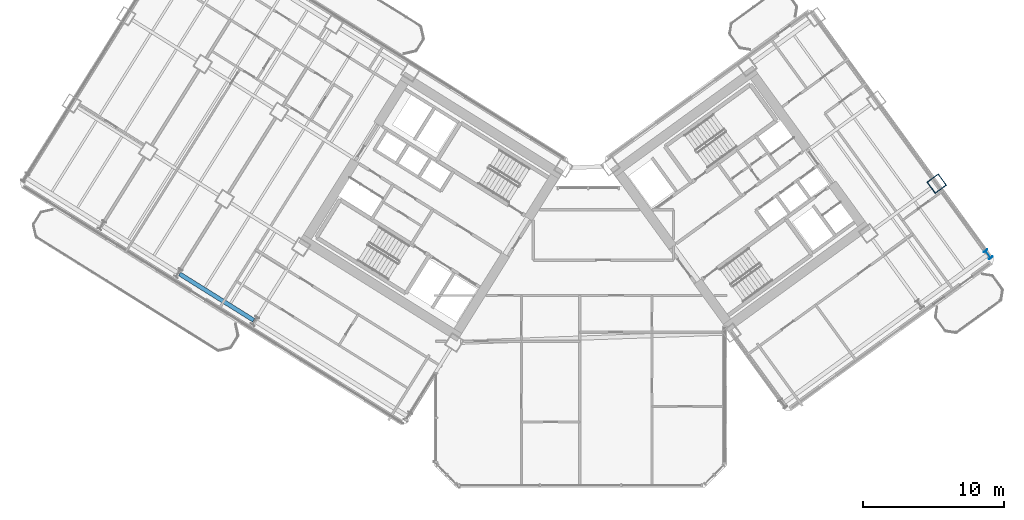
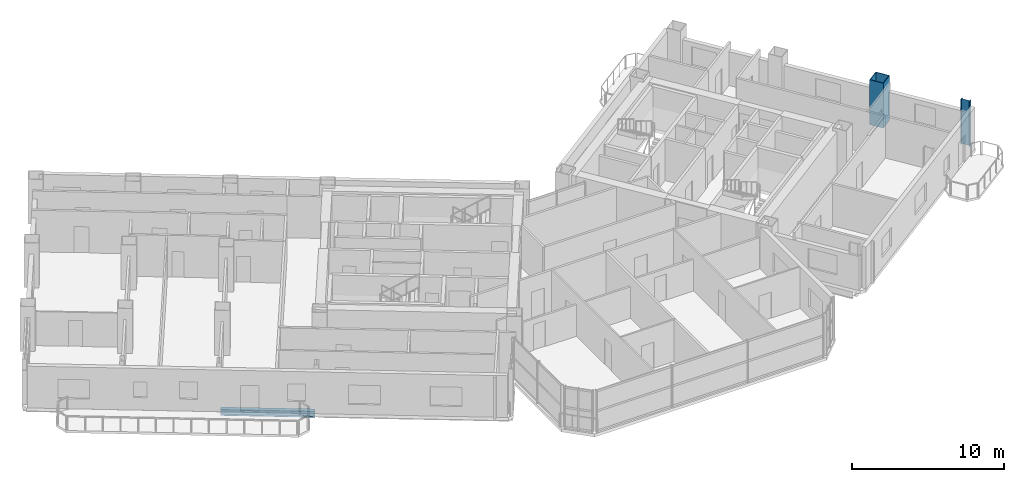
# One storey, part 4 of 28: 2 columns, 1 beam.
"""IFC4 building model written with IfcOpenShell, lengths in metres."""

from ifc_helpers import new_model, si_unit, direction, frame, origin, origin_2d, place, context, subcontext, project, spatial, hollow_rectangle, i_section, extrude, source, transform, mapped, material, material_profile, profile_set, type_object, element, save


model = new_model("IFC4")

# Units and contexts
model_context = context("Model", 3, precision=1e-05, world=origin(), true_north=direction((0.0, 1.0)))
body_context = subcontext(model_context, "Body", "Model", "MODEL_VIEW")
ifc_project = project(units=[si_unit("LENGTHUNIT", "METRE"), si_unit("AREAUNIT", "SQUARE_METRE"), si_unit("VOLUMEUNIT", "CUBIC_METRE"), si_unit("PLANEANGLEUNIT", "RADIAN"), si_unit("MASSUNIT", "GRAM", prefix="KILO")], contexts=[model_context])

# Site, building, storey
site_placement = place(None, origin())
site = spatial("IfcSite", under=ifc_project, at=site_placement, CompositionType="ELEMENT")
building_placement = place(site_placement, origin())
building = spatial("IfcBuilding", under=site, at=building_placement, Name="Tlacorven Tower", CompositionType="ELEMENT")
storey_placement = place(building_placement, frame((0.0, 0.0, 42.0)))
storey = spatial("IfcBuildingStorey", under=building, at=storey_placement, Name="L10", CompositionType="ELEMENT", Elevation=42.0)

# Columns
ifc_material_1 = material(Name="Steel S460M", Category="steel")
ifc_material_profile_1 = material_profile(ifc_material_1, hollow_rectangle(XDim=1.0, YDim=1.0, WallThickness=0.0400390625, at=origin_2d()), Name="BOX 1000X1000X40")
ifc_profile_set_1 = profile_set([ifc_material_profile_1], Name="Steel S460M")
column_type_1 = type_object("IfcColumnType", Name="COL-TWR-S1", PredefinedType="COLUMN", material=ifc_profile_set_1)
shared_shape_1 = source(origin(), body_context, "Body", "SweptSolid", [
    extrude(hollow_rectangle(XDim=1.0, YDim=1.0, WallThickness=0.0400390625, at=origin_2d()), origin(), (0.0, 0.0, 1.0), 3.60009765625),
])
column_1_placement = place(storey_placement, frame((67.267822265625, 23.353515625, 0.0), z_axis=(0.0, 0.0, 1.0), x_axis=(0.809016994375, 0.587785252292, 0.0)))
element("IfcColumn", 1, at=column_1_placement, inside=storey, type_object=column_type_1, Name="L10 column COL-L10-E4-2", PredefinedType="COLUMN", context=body_context, shape_type="MappedRepresentation", body=[
    mapped(shared_shape_1, transform((0.0, 0.0, 0.0), scale=1.0)),
])
ifc_material_profile_2 = material_profile(ifc_material_1, i_section(OverallWidth=0.300048828125, OverallDepth=0.64990234375, WebThickness=0.01611328125, FlangeThickness=0.031005859375, at=origin_2d()), Name="HEB 650")
ifc_profile_set_2 = profile_set([ifc_material_profile_2], Name="Steel S460M")
column_type_2 = type_object("IfcColumnType", Name="COL-TWR-P1", PredefinedType="COLUMN", material=ifc_profile_set_2)
shared_shape_2 = source(origin(), body_context, "Body", "SweptSolid", [
    extrude(i_section(OverallWidth=0.300048828125, OverallDepth=0.64990234375, WebThickness=0.01611328125, FlangeThickness=0.031005859375, at=origin_2d()), origin(), (0.0, 0.0, 1.0), 3.60009765625),
])
column_2_placement = place(storey_placement, frame((70.911865234375, 18.337646484375, 0.0), z_axis=(0.0, 0.0, 1.0), x_axis=(0.809016994375, 0.587785252292, 0.0)))
element("IfcColumn", 2, at=column_2_placement, inside=storey, type_object=column_type_2, Name="L10 column COL-L10-E4-1", PredefinedType="COLUMN", context=body_context, shape_type="MappedRepresentation", body=[
    mapped(shared_shape_2, transform((0.0, 0.0, 0.0), scale=1.0)),
])

# Beam
ifc_material_2 = material(Name="Steel S355J2", Category="steel")
ifc_material_profile_3 = material_profile(ifc_material_2, i_section(OverallWidth=0.300048828125, OverallDepth=0.489990234375, WebThickness=0.011962890625, FlangeThickness=0.02294921875, at=origin_2d()), Name="HEA 500")
ifc_profile_set_3 = profile_set([ifc_material_profile_3], Name="Steel S355J2")
beam_type = type_object("IfcBeamType", Name="BM-SPN-500", PredefinedType="SPANDREL", material=ifc_profile_set_3)
shared_shape_3 = source(origin(), body_context, "Body", "SweptSolid", [
    extrude(i_section(OverallWidth=0.300048828125, OverallDepth=0.489990234375, WebThickness=0.011962890625, FlangeThickness=0.02294921875, at=origin_2d()), origin(), (0.0, 0.0, 1.0), 6.199951171875),
])
beam_placement = place(storey_placement, frame((18.82080078125, 13.6650390625, -0.4951171875), z_axis=(-0.848051394107, 0.529913986372, 0.0), x_axis=(-0.529913986372, -0.848051394107, 0.0)))
element("IfcBeam", 3, at=beam_placement, inside=storey, type_object=beam_type, Name="L10 beam BM-L10-WL4-3", PredefinedType="SPANDREL", context=body_context, shape_type="MappedRepresentation", body=[
    mapped(shared_shape_3, transform((0.0, 0.0, 0.0), scale=1.0)),
])

save(model, "model.ifc")
